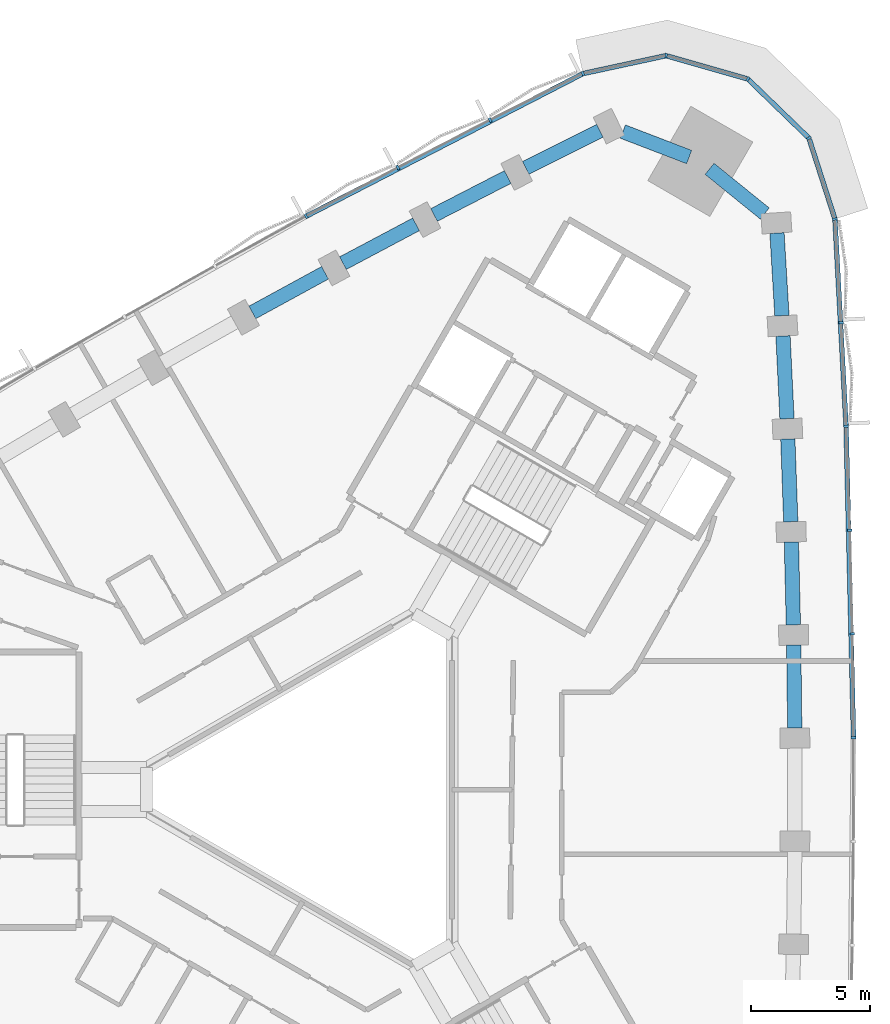
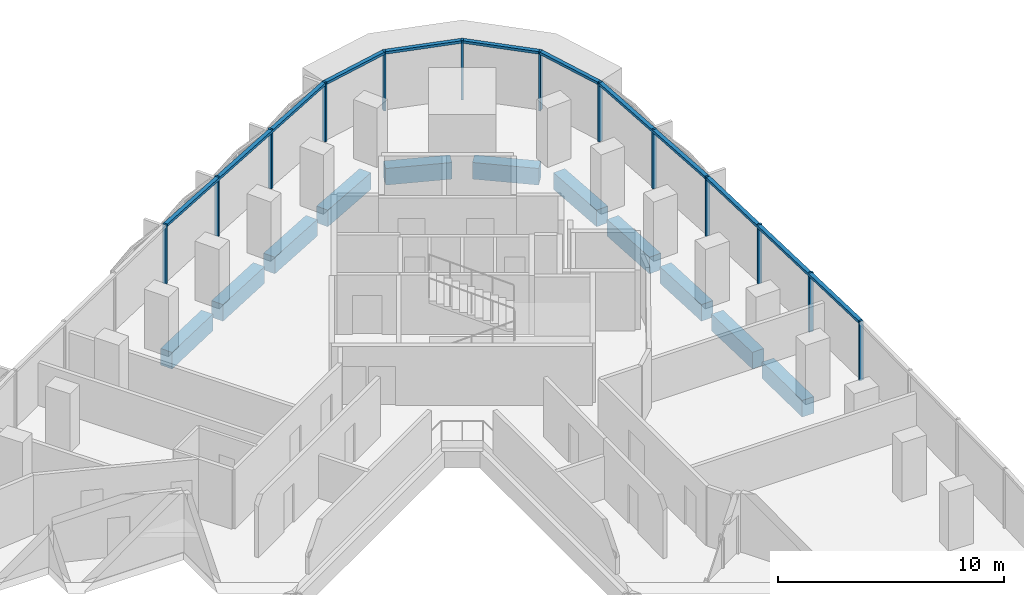
# One storey, part 5 of 14: 20 members, 11 beams, 2 elements without a shape of their own.
"""IFC4 building model written with IfcOpenShell, lengths in metres."""

from ifc_helpers import new_model, si_unit, direction, frame, origin, origin_2d, place, context, subcontext, project, spatial, rectangle, extrude, material, material_profile, profile_set, type_object, element, aggregate, save


model = new_model("IFC4")

# Units and contexts
model_context = context("Model", 3, precision=1e-05, world=origin(), true_north=direction((0.0, 1.0)))
body_context = subcontext(model_context, "Body", "Model", "MODEL_VIEW")
ifc_project = project(units=[si_unit("LENGTHUNIT", "METRE"), si_unit("AREAUNIT", "SQUARE_METRE"), si_unit("VOLUMEUNIT", "CUBIC_METRE"), si_unit("PLANEANGLEUNIT", "RADIAN"), si_unit("MASSUNIT", "GRAM", prefix="KILO")], contexts=[model_context])

# Site, building, storey
site_placement = place(None, origin())
site = spatial("IfcSite", under=ifc_project, at=site_placement, CompositionType="ELEMENT")
building_placement = place(site_placement, origin())
building = spatial("IfcBuilding", under=site, at=building_placement, Name="Tamra Quay Hotel Tower", CompositionType="ELEMENT")
storey_placement = place(building_placement, frame((0.0, 0.0, 146.800048828125)))
storey = spatial("IfcBuildingStorey", under=building, at=storey_placement, Name="L36", CompositionType="ELEMENT", Elevation=146.800048828125)

# Curtain wall, members
ifc_material_1 = material(Name="Aluminium 6063 anodised dark grey", Category="aluminium")
curtain_wall_type_1 = type_object("IfcCurtainWallType", Name="CW1 CURTAIN WALL", PredefinedType="NOTDEFINED", material=ifc_material_1)
curtain_wall_1_placement = place(storey_placement, origin())
curtain_wall_1 = element("IfcCurtainWall", 1, at=curtain_wall_1_placement, inside=storey, type_object=curtain_wall_type_1, Name="CW1 east face L36", PredefinedType="NOTDEFINED")
ifc_material_profile_1 = material_profile(ifc_material_1, rectangle(XDim=0.199951171875, YDim=0.10009765625, at=origin_2d()), Name="MULLION 100X200")
ifc_profile_set_1 = profile_set([ifc_material_profile_1], Name="Aluminium 6063 anodised dark grey")
member_type_1 = type_object("IfcMemberType", Name="MULLION CW1 Z3", PredefinedType="MULLION", material=ifc_profile_set_1)
member_1_placement = place(storey_placement, frame((21.631591796875, 2.17626953125, 0.0), z_axis=(0.0, 0.0, 1.0), x_axis=(0.999982128389, 0.005978536749, 0.0)))
member_1 = element("IfcMember", 2, at=member_1_placement, type_object=member_type_1, Name="CW1 mullion L36.E.7", PredefinedType="MULLION", context=body_context, shape_type="SweptSolid", body=[
    extrude(rectangle(XDim=0.199951171875, YDim=0.10009765625, at=origin_2d()), origin(), (0.0, 0.0, 1.0), 3.199951171875),
])
member_2_placement = place(storey_placement, frame((21.57958984375, 6.527099609375, 0.0), z_axis=(0.0, 0.0, 1.0), x_axis=(0.999839304234, 0.017926675875, 0.0)))
member_2 = element("IfcMember", 3, at=member_2_placement, type_object=member_type_1, Name="CW1 mullion L36.E.8", PredefinedType="MULLION", context=body_context, shape_type="SweptSolid", body=[
    extrude(rectangle(XDim=0.199951171875, YDim=0.10009765625, at=origin_2d()), origin(), (0.0, 0.0, 1.0), 3.199951171875),
])
member_3_placement = place(storey_placement, frame((21.4755859375, 10.87841796875, 0.0), z_axis=(0.0, 0.0, 1.0), x_axis=(0.999553757047, 0.029871169599, 0.0)))
member_3 = element("IfcMember", 4, at=member_3_placement, type_object=member_type_1, Name="CW1 mullion L36.E.9", PredefinedType="MULLION", context=body_context, shape_type="SweptSolid", body=[
    extrude(rectangle(XDim=0.199951171875, YDim=0.10009765625, at=origin_2d()), origin(), (0.0, 0.0, 1.0), 3.199951171875),
])
member_4_placement = place(storey_placement, frame((21.319580078125, 15.228271484375, 0.0), z_axis=(0.0, 0.0, 1.0), x_axis=(0.99912611643, 0.041797170557, 0.0)))
member_4 = element("IfcMember", 5, at=member_4_placement, type_object=member_type_1, Name="CW1 mullion L36.E.10", PredefinedType="MULLION", context=body_context, shape_type="SweptSolid", body=[
    extrude(rectangle(XDim=0.199951171875, YDim=0.10009765625, at=origin_2d()), origin(), (0.0, 0.0, 1.0), 3.199951171875),
])
member_5_placement = place(storey_placement, frame((21.11181640625, 19.57421875, 0.0), z_axis=(0.0, 0.0, 1.0), x_axis=(0.99855735675, 0.053695486602, 0.0)))
member_5 = element("IfcMember", 6, at=member_5_placement, type_object=member_type_1, Name="CW1 mullion L36.E.11", PredefinedType="MULLION", context=body_context, shape_type="SweptSolid", body=[
    extrude(rectangle(XDim=0.199951171875, YDim=0.10009765625, at=origin_2d()), origin(), (0.0, 0.0, 1.0), 3.199951171875),
])
member_6_placement = place(storey_placement, frame((20.852294921875, 23.918212890625, 0.0), z_axis=(0.0, 0.0, 1.0), x_axis=(0.982883217826, 0.184229693905, 0.0)))
member_6 = element("IfcMember", 7, at=member_6_placement, type_object=member_type_1, Name="CW1 mullion L36.E.12", PredefinedType="MULLION", context=body_context, shape_type="SweptSolid", body=[
    extrude(rectangle(XDim=0.199951171875, YDim=0.10009765625, at=origin_2d()), origin(), (0.0, 0.0, 1.0), 3.199951171875),
])
member_7_placement = place(storey_placement, frame((19.76171875, 27.312255859375, 0.0), z_axis=(0.0, 0.0, 1.0), x_axis=(0.849197833806, 0.52807484229, 0.0)))
member_7 = element("IfcMember", 8, at=member_7_placement, type_object=member_type_1, Name="CW1 mullion L36.E.13", PredefinedType="MULLION", context=body_context, shape_type="SweptSolid", body=[
    extrude(rectangle(XDim=0.199951171875, YDim=0.10009765625, at=origin_2d()), origin(), (0.0, 0.0, 1.0), 3.199951171875),
])
member_8_placement = place(storey_placement, frame((17.199951171875, 29.791259765625, 0.0), z_axis=(0.0, 0.0, 1.0), x_axis=(0.5, 0.866025403784, 0.0)))
member_8 = element("IfcMember", 9, at=member_8_placement, type_object=member_type_1, Name="CW1 mullion L36.E.14", PredefinedType="MULLION", context=body_context, shape_type="SweptSolid", body=[
    extrude(rectangle(XDim=0.199951171875, YDim=0.10009765625, at=origin_2d()), origin(), (0.0, 0.0, 1.0), 3.199951171875),
])
member_9_placement = place(storey_placement, frame((13.772216796875, 30.770263671875, 0.0), z_axis=(0.0, 0.0, 1.0), x_axis=(0.032727311619, 0.99946431806, 0.0)))
member_9 = element("IfcMember", 10, at=member_9_placement, type_object=member_type_1, Name="CW1 mullion L36.E.15", PredefinedType="MULLION", context=body_context, shape_type="SweptSolid", body=[
    extrude(rectangle(XDim=0.199951171875, YDim=0.10009765625, at=origin_2d()), origin(), (0.0, 0.0, 1.0), 3.199951171875),
])

curtain_wall_type_2 = type_object("IfcCurtainWallType", Name="CW2 CURTAIN WALL", PredefinedType="NOTDEFINED", material=ifc_material_1)
curtain_wall_2_placement = place(storey_placement, origin())
curtain_wall_2 = element("IfcCurtainWall", 11, at=curtain_wall_2_placement, inside=storey, type_object=curtain_wall_type_2, Name="CW2 north-west face L36", PredefinedType="NOTDEFINED")
ifc_material_profile_2 = material_profile(ifc_material_1, rectangle(XDim=0.199951171875, YDim=0.10009765625, at=origin_2d()), Name="MULLION 100X200")
ifc_profile_set_2 = profile_set([ifc_material_profile_2], Name="Aluminium 6063 anodised dark grey")
member_type_2 = type_object("IfcMemberType", Name="MULLION CW2 Z3", PredefinedType="MULLION", material=ifc_profile_set_2)
member_10_placement = place(storey_placement, frame((10.28759765625, 30.017578125, 0.0), z_axis=(0.0, 0.0, 1.0), x_axis=(-0.33189401386, 0.943316682543, 0.0)))
member_10 = element("IfcMember", 12, at=member_10_placement, type_object=member_type_2, Name="CW2 mullion L36.NW.1", PredefinedType="MULLION", context=body_context, shape_type="SweptSolid", body=[
    extrude(rectangle(XDim=0.199951171875, YDim=0.10009765625, at=origin_2d()), origin(), (0.0, 0.0, 1.0), 3.199951171875),
])
member_11_placement = place(storey_placement, frame((6.39599609375, 28.0703125, 0.0), z_axis=(0.0, 0.0, 1.0), x_axis=(-0.452777022909, 0.891623781382, 0.0)))
member_11 = element("IfcMember", 13, at=member_11_placement, type_object=member_type_2, Name="CW2 mullion L36.NW.2", PredefinedType="MULLION", context=body_context, shape_type="SweptSolid", body=[
    extrude(rectangle(XDim=0.199951171875, YDim=0.10009765625, at=origin_2d()), origin(), (0.0, 0.0, 1.0), 3.199951171875),
])
member_12_placement = place(storey_placement, frame((2.5283203125, 26.077392578125, 0.0), z_axis=(0.0, 0.0, 1.0), x_axis=(-0.463365646706, 0.886167183692, 0.0)))
member_12 = element("IfcMember", 14, at=member_12_placement, type_object=member_type_2, Name="CW2 mullion L36.NW.3", PredefinedType="MULLION", context=body_context, shape_type="SweptSolid", body=[
    extrude(rectangle(XDim=0.199951171875, YDim=0.10009765625, at=origin_2d()), origin(), (0.0, 0.0, 1.0), 3.199951171875),
])
member_13_placement = place(storey_placement, frame((-1.31689453125, 24.03759765625, 0.0), z_axis=(0.0, 0.0, 1.0), x_axis=(-0.47390768681, 0.88057453085, 0.0)))
member_13 = element("IfcMember", 15, at=member_13_placement, type_object=member_type_2, Name="CW2 mullion L36.NW.4", PredefinedType="MULLION", context=body_context, shape_type="SweptSolid", body=[
    extrude(rectangle(XDim=0.199951171875, YDim=0.10009765625, at=origin_2d()), origin(), (0.0, 0.0, 1.0), 3.199951171875),
])

# Beams
ifc_material_2 = material(Name="Concrete M60", Category="concrete")
ifc_material_profile_3 = material_profile(ifc_material_2, rectangle(XDim=0.60009765625, YDim=0.89990234375, at=origin_2d()), Name="SPANDREL BEAM RC 600x900")
ifc_profile_set_3 = profile_set([ifc_material_profile_3], Name="Concrete M60")
beam_type = type_object("IfcBeamType", Name="SPANDREL BEAM RC 600x900", PredefinedType="SPANDREL", material=ifc_profile_set_3)
beam_1_placement = place(storey_placement, frame((19.165771484375, 2.586181640625, -0.85009765625), z_axis=(-0.011951617666, 0.999928576867, 0.0), x_axis=(-0.999928576867, -0.011951617666, 0.0)))
element("IfcBeam", 16, at=beam_1_placement, inside=storey, type_object=beam_type, Name="BM-SP3-006-L36", PredefinedType="SPANDREL", context=body_context, shape_type="SweptSolid", body=[
    extrude(rectangle(XDim=0.60009765625, YDim=0.89990234375, at=origin_2d()), origin(), (0.0, 0.0, 1.0), 3.47265625),
])
beam_2_placement = place(storey_placement, frame((19.10888671875, 6.90869140625, -0.85009765625), z_axis=(-0.023906514803, 0.999714198434, 0.0), x_axis=(-0.999714198434, -0.023906514803, 0.0)))
element("IfcBeam", 17, at=beam_2_placement, inside=storey, type_object=beam_type, Name="BM-SP3-007-L36", PredefinedType="SPANDREL", context=body_context, shape_type="SweptSolid", body=[
    extrude(rectangle(XDim=0.60009765625, YDim=0.89990234375, at=origin_2d()), origin(), (0.0, 0.0, 1.0), 3.47216796875),
])
beam_3_placement = place(storey_placement, frame((19.00048828125, 11.2294921875, -0.85009765625), z_axis=(-0.035786826945, 0.999359446354, 0.0), x_axis=(-0.999359446354, -0.035786826945, 0.0)))
element("IfcBeam", 18, at=beam_3_placement, inside=storey, type_object=beam_type, Name="BM-SP3-008-L36", PredefinedType="SPANDREL", context=body_context, shape_type="SweptSolid", body=[
    extrude(rectangle(XDim=0.60009765625, YDim=0.89990234375, at=origin_2d()), origin(), (0.0, 0.0, 1.0), 3.472412109375),
])
beam_4_placement = place(storey_placement, frame((18.840576171875, 15.548828125, -0.85009765625), z_axis=(-0.047732145575, 0.998860171535, 0.0), x_axis=(-0.998860171535, -0.047732145575, 0.0)))
element("IfcBeam", 19, at=beam_4_placement, inside=storey, type_object=beam_type, Name="BM-SP3-009-L36", PredefinedType="SPANDREL", context=body_context, shape_type="SweptSolid", body=[
    extrude(rectangle(XDim=0.60009765625, YDim=0.89990234375, at=origin_2d()), origin(), (0.0, 0.0, 1.0), 3.472900390625),
])
beam_5_placement = place(storey_placement, frame((18.629150390625, 19.86669921875, -0.85009765625), z_axis=(-0.059620475238, 0.998221117254, 0.0), x_axis=(-0.998221117254, -0.059620475238, 0.0)))
element("IfcBeam", 20, at=beam_5_placement, inside=storey, type_object=beam_type, Name="BM-SP3-010-L36", PredefinedType="SPANDREL", context=body_context, shape_type="SweptSolid", body=[
    extrude(rectangle(XDim=0.60009765625, YDim=0.89990234375, at=origin_2d()), origin(), (0.0, 0.0, 1.0), 3.472412109375),
])
beam_6_placement = place(storey_placement, frame((17.909912109375, 24.151123046875, -0.85009765625), z_axis=(-0.777183767602, 0.629273701482, 0.0), x_axis=(-0.629273701482, -0.777183767602, 0.0)))
element("IfcBeam", 21, at=beam_6_placement, inside=storey, type_object=beam_type, Name="BM-SP3-011-L36", PredefinedType="SPANDREL", context=body_context, shape_type="SweptSolid", body=[
    extrude(rectangle(XDim=0.60009765625, YDim=0.89990234375, at=origin_2d()), origin(), (0.0, 0.0, 1.0), 2.977783203125),
])
beam_7_placement = place(storey_placement, frame((14.74072265625, 26.5185546875, -0.85009765625), z_axis=(-0.933527198951, 0.358506581278, 0.0), x_axis=(-0.358506581278, -0.933527198951, 0.0)))
element("IfcBeam", 22, at=beam_7_placement, inside=storey, type_object=beam_type, Name="BM-SP3-012-L36", PredefinedType="SPANDREL", context=body_context, shape_type="SweptSolid", body=[
    extrude(rectangle(XDim=0.60009765625, YDim=0.89990234375, at=origin_2d()), origin(), (0.0, 0.0, 1.0), 2.97802734375),
])
beam_8_placement = place(storey_placement, frame((10.995849609375, 27.620361328125, -0.85009765625), z_axis=(-0.894314670292, -0.447438566174, 0.0), x_axis=(0.447438566174, -0.894314670292, 0.0)))
element("IfcBeam", 23, at=beam_8_placement, inside=storey, type_object=beam_type, Name="BM-SP3-013-L36", PredefinedType="SPANDREL", context=body_context, shape_type="SweptSolid", body=[
    extrude(rectangle(XDim=0.60009765625, YDim=0.89990234375, at=origin_2d()), origin(), (0.0, 0.0, 1.0), 3.472412109375),
])
beam_9_placement = place(storey_placement, frame((7.132568359375, 25.681640625, -0.85009765625), z_axis=(-0.888919913451, -0.458062645792, 0.0), x_axis=(0.458062645792, -0.888919913451, 0.0)))
element("IfcBeam", 24, at=beam_9_placement, inside=storey, type_object=beam_type, Name="BM-SP3-014-L36", PredefinedType="SPANDREL", context=body_context, shape_type="SweptSolid", body=[
    extrude(rectangle(XDim=0.60009765625, YDim=0.89990234375, at=origin_2d()), origin(), (0.0, 0.0, 1.0), 3.472900390625),
])
for number, where, z_axis, x_axis, name in (
    (25, (3.292236328125, 23.697021484375, -0.85009765625), (-0.883411391477, -0.468598243071, 0.0), (0.468598243071, -0.883411391477, 0.0), "BM-SP3-015-L36"),
    (26, (-0.523681640625, 21.6669921875, -0.85009765625), (-0.877731617539, -0.479152593202, 0.0), (0.479152593202, -0.877731617539, 0.0), "BM-SP3-016-L36"),
):
    element("IfcBeam", number, at=place(storey_placement, frame(where, z_axis=z_axis, x_axis=x_axis)), inside=storey, type_object=beam_type, Name=name, PredefinedType="SPANDREL", context=body_context, shape_type="SweptSolid", body=[
        extrude(rectangle(XDim=0.60009765625, YDim=0.89990234375, at=origin_2d()), origin(), (0.0, 0.0, 1.0), 3.472412109375),
    ])

# Member
ifc_material_profile_4 = material_profile(ifc_material_1, rectangle(XDim=0.199951171875, YDim=0.139892578125, at=origin_2d()), Name="TRANSOM 200X140")
ifc_profile_set_4 = profile_set([ifc_material_profile_4], Name="Aluminium 6063 anodised dark grey")
member_type_3 = type_object("IfcMemberType", Name="TRANSOM CW1 Z3", PredefinedType="USERDEFINED", material=ifc_profile_set_4)
member_14_placement = place(storey_placement, frame((21.630859375, 2.226318359375, 3.1298828125), z_axis=(-0.023894704372, 0.999714480791, 0.0), x_axis=(-0.999714480791, -0.023894704372, 0.0)))
member_14 = element("IfcMember", 27, at=member_14_placement, type_object=member_type_3, Name="CW1 transom L36.E.7", ObjectType="TRANSOM", PredefinedType="USERDEFINED", context=body_context, shape_type="SweptSolid", body=[
    extrude(rectangle(XDim=0.199951171875, YDim=0.139892578125, at=origin_2d()), origin(), (0.0, 0.0, 1.0), 12.95556640625),
])

member_15_placement = place(storey_placement, frame((21.317138671875, 15.278076171875, 3.1298828125), z_axis=(-0.053693818243, 0.998557446461, 0.0), x_axis=(-0.998557446461, -0.053693818243, 0.0)))
member_15 = element("IfcMember", 28, at=member_15_placement, type_object=member_type_3, Name="CW1 transom L36.E.10", ObjectType="TRANSOM", PredefinedType="USERDEFINED", context=body_context, shape_type="SweptSolid", body=[
    extrude(rectangle(XDim=0.199951171875, YDim=0.139892578125, at=origin_2d()), origin(), (0.0, 0.0, 1.0), 8.602783203125),
])

member_16_placement = place(storey_placement, frame((20.8369140625, 23.9658203125, 3.1298828125), z_axis=(-0.305936194626, 0.952052017916, 0.0), x_axis=(-0.952052017916, -0.305936194626, 0.0)))
member_16 = element("IfcMember", 29, at=member_16_placement, type_object=member_type_3, Name="CW1 transom L36.E.12", ObjectType="TRANSOM", PredefinedType="USERDEFINED", context=body_context, shape_type="SweptSolid", body=[
    extrude(rectangle(XDim=0.199951171875, YDim=0.139892578125, at=origin_2d()), origin(), (0.0, 0.0, 1.0), 3.465087890625),
])

member_17_placement = place(storey_placement, frame((19.725830078125, 27.346923828125, 3.1298828125), z_axis=(-0.718602141767, 0.695421427516, 0.0), x_axis=(-0.695421427516, -0.718602141767, 0.0)))
member_17 = element("IfcMember", 30, at=member_17_placement, type_object=member_type_3, Name="CW1 transom L36.E.13", ObjectType="TRANSOM", PredefinedType="USERDEFINED", context=body_context, shape_type="SweptSolid", body=[
    extrude(rectangle(XDim=0.199951171875, YDim=0.139892578125, at=origin_2d()), origin(), (0.0, 0.0, 1.0), 3.465087890625),
])

member_18_placement = place(storey_placement, frame((17.15185546875, 29.804931640625, 3.1298828125), z_axis=(-0.961558507518, 0.274600139513, 0.0), x_axis=(-0.274600139513, -0.961558507518, 0.0)))
member_18 = element("IfcMember", 31, at=member_18_placement, type_object=member_type_3, Name="CW1 transom L36.E.14", ObjectType="TRANSOM", PredefinedType="USERDEFINED", context=body_context, shape_type="SweptSolid", body=[
    extrude(rectangle(XDim=0.199951171875, YDim=0.139892578125, at=origin_2d()), origin(), (0.0, 0.0, 1.0), 3.46484375),
])

member_19_placement = place(storey_placement, frame((13.723388671875, 30.759521484375, 3.1298828125), z_axis=(-0.977466057655, -0.211092648218, 0.0), x_axis=(0.211092648218, -0.977466057655, 0.0)))
member_19 = element("IfcMember", 32, at=member_19_placement, type_object=member_type_3, Name="CW1 transom L36.E.15", ObjectType="TRANSOM", PredefinedType="USERDEFINED", context=body_context, shape_type="SweptSolid", body=[
    extrude(rectangle(XDim=0.199951171875, YDim=0.139892578125, at=origin_2d()), origin(), (0.0, 0.0, 1.0), 3.465087890625),
])

aggregate(curtain_wall_1, [member_1, member_14, member_2, member_3, member_4, member_15, member_5, member_6, member_16, member_7, member_17, member_8, member_18, member_9, member_19])

ifc_material_profile_5 = material_profile(ifc_material_1, rectangle(XDim=0.199951171875, YDim=0.139892578125, at=origin_2d()), Name="TRANSOM 200X140")
ifc_profile_set_5 = profile_set([ifc_material_profile_5], Name="Aluminium 6063 anodised dark grey")
member_type_4 = type_object("IfcMemberType", Name="TRANSOM CW2 Z3", PredefinedType="USERDEFINED", material=ifc_profile_set_5)
member_20_placement = place(storey_placement, frame((10.242919921875, 29.995361328125, 3.1298828125), z_axis=(-0.888910612122, -0.458080695574, 0.0), x_axis=(0.458080695574, -0.888910612122, 0.0)))
member_20 = element("IfcMember", 33, at=member_20_placement, type_object=member_type_4, Name="CW2 transom L36.NW.1", ObjectType="TRANSOM", PredefinedType="USERDEFINED", context=body_context, shape_type="SweptSolid", body=[
    extrude(rectangle(XDim=0.199951171875, YDim=0.139892578125, at=origin_2d()), origin(), (0.0, 0.0, 1.0), 12.954833984375),
])

aggregate(curtain_wall_2, [member_10, member_20, member_11, member_12, member_13])

save(model, "model.ifc")
